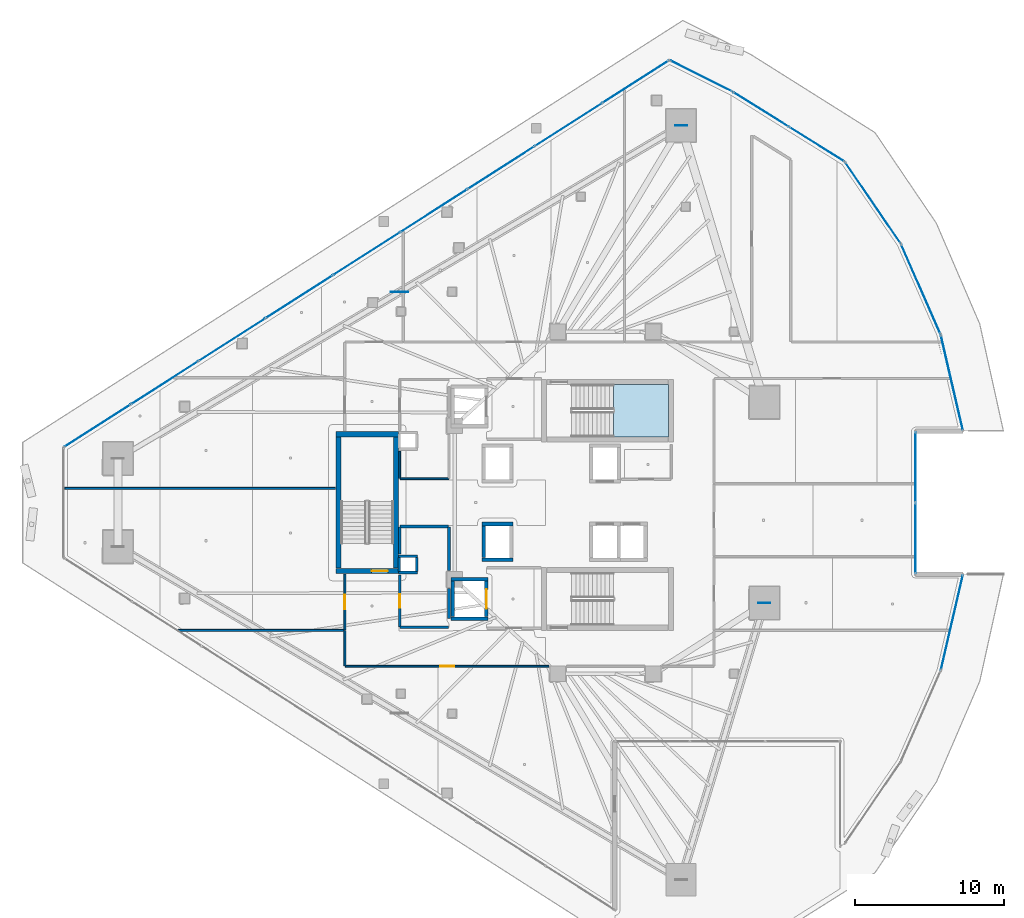
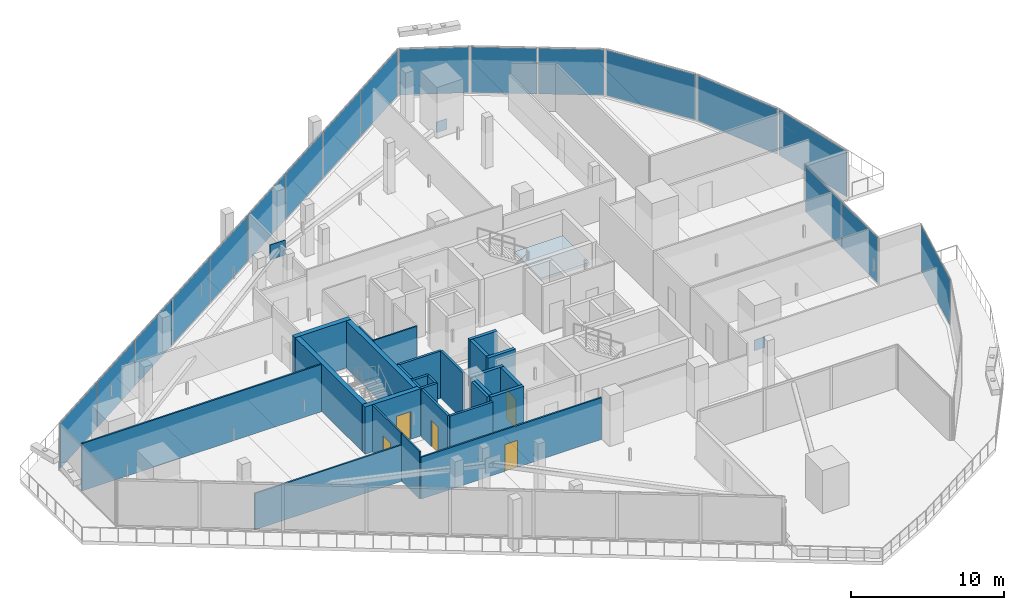
# One storey, part 30 of 43: 28 walls, 21 plates, 5 doors, 1 slab, 5 openings, 9 elements without a shape of their own.
"""IFC4 building model written with IfcOpenShell, lengths in metres."""

from ifc_helpers import new_model, si_unit, direction, frame, frame_2d, origin, origin_2d, place, context, subcontext, project, spatial, polyline, rectangle, outline, extrude, material, layer, layer_set, type_object, element, fill, aggregate, save


model = new_model("IFC4")

# Units and contexts
model_context = context("Model", 3, precision=1e-05, world=origin(), true_north=direction((0.0, 1.0)))
body_context = subcontext(model_context, "Body", "Model", "MODEL_VIEW")
ifc_project = project(units=[si_unit("LENGTHUNIT", "METRE"), si_unit("AREAUNIT", "SQUARE_METRE"), si_unit("VOLUMEUNIT", "CUBIC_METRE"), si_unit("PLANEANGLEUNIT", "RADIAN"), si_unit("MASSUNIT", "GRAM", prefix="KILO")], contexts=[model_context])

# Site, building, storey
site_placement = place(None, origin())
site = spatial("IfcSite", under=ifc_project, at=site_placement, CompositionType="ELEMENT")
building_placement = place(site_placement, origin())
building = spatial("IfcBuilding", under=site, at=building_placement, Name="Qorvath Tower", CompositionType="ELEMENT")
storey_placement = place(building_placement, frame((0.0, 0.0, 150.300048828125)))
storey = spatial("IfcBuildingStorey", under=building, at=storey_placement, Name="L34", CompositionType="ELEMENT", Elevation=150.300048828125)

# Curtain wall, plate
ifc_material_1 = material(Name="Anodised aluminium and triple low-E glass", Category="aluminium")
ifc_layer_1 = layer(ifc_material_1, 0.179931640625)
ifc_layer_set_1 = layer_set([ifc_layer_1], Name="CW-SYS-5")
curtain_wall_type = type_object("IfcCurtainWallType", Name="CW-SYS-5", PredefinedType="NOTDEFINED", material=ifc_layer_set_1)
curtain_wall_1_placement = place(storey_placement, origin())
curtain_wall_1 = element("IfcCurtainWall", 1, at=curtain_wall_1_placement, inside=storey, type_object=curtain_wall_type, Name="Curtain Wall CW-5 CW-T-L34-7.1", PredefinedType="NOTDEFINED")
ifc_material_2 = material(Name="Low-E triple insulated glass", Category="glass")
ifc_layer_2 = layer(ifc_material_2, 0.031982421875)
ifc_layer_set_2 = layer_set([ifc_layer_2], Name="CWP-GLZ-32")
plate_type_1 = type_object("IfcPlateType", Name="CWP-GLZ-32", PredefinedType="CURTAIN_PANEL", material=ifc_layer_set_2)
plate_1_placement = place(storey_placement, frame((2.787841796875, -8.028076171875, 0.06494140625), z_axis=(0.0, 0.0, 1.0), x_axis=(0.225630824395, 0.974212877703, 0.0)))
plate_1 = element("IfcPlate", 2, at=plate_1_placement, type_object=plate_type_1, Name="CW-5 panel 1.1", PredefinedType="CURTAIN_PANEL", context=body_context, shape_type="SweptSolid", body=[
    extrude(rectangle(XDim=6.487060546875, YDim=0.031982421875, at=origin_2d()), origin(), (0.0, 0.0, 1.0), 3.650146484375),
])
aggregate(curtain_wall_1, [plate_1])

# Curtain wall, plates
curtain_wall_2_placement = place(storey_placement, origin())
curtain_wall_2 = element("IfcCurtainWall", 3, at=curtain_wall_2_placement, inside=storey, type_object=curtain_wall_type, Name="Curtain Wall CW-5 CW-T-L34-9.1", PredefinedType="NOTDEFINED")
plate_2_placement = place(storey_placement, frame((0.33984375, -2.37890625, 0.06494140625), z_axis=(0.0, 0.0, 1.0), x_axis=(0.0, 1.0, 0.0)))
plate_2 = element("IfcPlate", 4, at=plate_2_placement, type_object=plate_type_1, Name="CW-5 panel 1.1", PredefinedType="CURTAIN_PANEL", context=body_context, shape_type="SweptSolid", body=[
    extrude(rectangle(XDim=4.6826171875, YDim=0.031982421875, at=origin_2d()), origin(), (0.0, 0.0, 1.0), 3.650146484375),
])
plate_3_placement = place(storey_placement, frame((0.33984375, 2.37890625, 0.06494140625), z_axis=(0.0, 0.0, 1.0), x_axis=(0.0, 1.0, 0.0)))
plate_3 = element("IfcPlate", 5, at=plate_3_placement, type_object=plate_type_1, Name="CW-5 panel 2.1", PredefinedType="CURTAIN_PANEL", context=body_context, shape_type="SweptSolid", body=[
    extrude(rectangle(XDim=4.6826171875, YDim=0.031982421875, at=origin_2d()), origin(), (0.0, 0.0, 1.0), 3.650146484375),
])
aggregate(curtain_wall_2, [plate_2, plate_3])

# Curtain wall, plate
curtain_wall_3_placement = place(storey_placement, origin())
curtain_wall_3 = element("IfcCurtainWall", 6, at=curtain_wall_3_placement, inside=storey, type_object=curtain_wall_type, Name="Curtain Wall CW-5 CW-T-L34-11.1", PredefinedType="NOTDEFINED")
plate_4_placement = place(storey_placement, frame((2.787841796875, 8.028076171875, 0.06494140625), z_axis=(0.0, 0.0, 1.0), x_axis=(-0.225630824395, 0.974212877703, 0.0)))
plate_4 = element("IfcPlate", 7, at=plate_4_placement, type_object=plate_type_1, Name="CW-5 panel 1.1", PredefinedType="CURTAIN_PANEL", context=body_context, shape_type="SweptSolid", body=[
    extrude(rectangle(XDim=6.487060546875, YDim=0.031982421875, at=origin_2d()), origin(), (0.0, 0.0, 1.0), 3.650146484375),
])
aggregate(curtain_wall_3, [plate_4])

curtain_wall_4_placement = place(storey_placement, origin())
curtain_wall_4 = element("IfcCurtainWall", 8, at=curtain_wall_4_placement, inside=storey, type_object=curtain_wall_type, Name="Curtain Wall CW-5 CW-T-L34-12.1", PredefinedType="NOTDEFINED")
plate_5_placement = place(storey_placement, frame((0.70556640625, 14.299560546875, 0.06494140625), z_axis=(0.0, 0.0, 1.0), x_axis=(-0.401902246365, 0.91568257839, 0.0)))
plate_5 = element("IfcPlate", 9, at=plate_5_placement, type_object=plate_type_1, Name="CW-5 panel 1.1", PredefinedType="CURTAIN_PANEL", context=body_context, shape_type="SweptSolid", body=[
    extrude(rectangle(XDim=6.486572265625, YDim=0.031982421875, at=origin_2d()), origin(), (0.0, 0.0, 1.0), 3.650146484375),
])
aggregate(curtain_wall_4, [plate_5])

curtain_wall_5_placement = place(storey_placement, origin())
curtain_wall_5 = element("IfcCurtainWall", 10, at=curtain_wall_5_placement, inside=storey, type_object=curtain_wall_type, Name="Curtain Wall CW-5 CW-T-L34-13.1", PredefinedType="NOTDEFINED")
plate_6_placement = place(storey_placement, frame((-2.500732421875, 20.07763671875, 0.06494140625), z_axis=(0.0, 0.0, 1.0), x_axis=(-0.564284140416, 0.825580649528, 0.0)))
plate_6 = element("IfcPlate", 11, at=plate_6_placement, type_object=plate_type_1, Name="CW-5 panel 1.1", PredefinedType="CURTAIN_PANEL", context=body_context, shape_type="SweptSolid", body=[
    extrude(rectangle(XDim=6.48681640625, YDim=0.031982421875, at=origin_2d()), origin(), (0.0, 0.0, 1.0), 3.650146484375),
])
aggregate(curtain_wall_5, [plate_6])

# Curtain wall, plates
curtain_wall_6_placement = place(storey_placement, origin())
curtain_wall_6 = element("IfcCurtainWall", 12, at=curtain_wall_6_placement, inside=storey, type_object=curtain_wall_type, Name="Curtain Wall CW-5 CW-T-L34-14.1", PredefinedType="NOTDEFINED")
plate_7_placement = place(storey_placement, frame((-6.26904296875, 24.000244140625, 0.06494140625), z_axis=(0.0, 0.0, 1.0), x_axis=(-0.848376500424, 0.529393344809, 0.0)))
plate_7 = element("IfcPlate", 13, at=plate_7_placement, type_object=plate_type_1, Name="CW-5 panel 1.1", PredefinedType="CURTAIN_PANEL", context=body_context, shape_type="SweptSolid", body=[
    extrude(rectangle(XDim=4.319091796875, YDim=0.031982421875, at=origin_2d()), origin(), (0.0, 0.0, 1.0), 3.650146484375),
])
plate_8_placement = place(storey_placement, frame((-9.996826171875, 26.32666015625, 0.06494140625), z_axis=(0.0, 0.0, 1.0), x_axis=(-0.848376500424, 0.529393344809, 0.0)))
plate_8 = element("IfcPlate", 14, at=plate_8_placement, type_object=plate_type_1, Name="CW-5 panel 2.1", PredefinedType="CURTAIN_PANEL", context=body_context, shape_type="SweptSolid", body=[
    extrude(rectangle(XDim=4.319091796875, YDim=0.031982421875, at=origin_2d()), origin(), (0.0, 0.0, 1.0), 3.650146484375),
])
aggregate(curtain_wall_6, [plate_7, plate_8])

# Curtain wall, plate
curtain_wall_7_placement = place(storey_placement, origin())
curtain_wall_7 = element("IfcCurtainWall", 15, at=curtain_wall_7_placement, inside=storey, type_object=curtain_wall_type, Name="Curtain Wall CW-5 CW-T-L34-15.1", PredefinedType="NOTDEFINED")
plate_9_placement = place(storey_placement, frame((-14.0087890625, 28.567626953125, 0.06494140625), z_axis=(0.0, 0.0, 1.0), x_axis=(-0.894418737374, 0.447230502353, 0.0)))
plate_9 = element("IfcPlate", 16, at=plate_9_placement, type_object=plate_type_1, Name="CW-5 panel 1.1", PredefinedType="CURTAIN_PANEL", context=body_context, shape_type="SweptSolid", body=[
    extrude(rectangle(XDim=4.581787109375, YDim=0.031982421875, at=origin_2d()), origin(), (0.0, 0.0, 1.0), 3.650146484375),
])
aggregate(curtain_wall_7, [plate_9])

# Curtain wall, plates
curtain_wall_8_placement = place(storey_placement, origin())
curtain_wall_8 = element("IfcCurtainWall", 17, at=curtain_wall_8_placement, inside=storey, type_object=curtain_wall_type, Name="Curtain Wall CW-5 CW-T-L34-16.1", PredefinedType="NOTDEFINED")
plate_10_placement = place(storey_placement, frame((-18.393798828125, 28.175537109375, 0.06494140625), z_axis=(0.0, 0.0, 1.0), x_axis=(-0.842602882592, -0.538535404822, 0.0)))
plate_10 = element("IfcPlate", 18, at=plate_10_placement, type_object=plate_type_1, Name="CW-5 panel 1.1", PredefinedType="CURTAIN_PANEL", context=body_context, shape_type="SweptSolid", body=[
    extrude(rectangle(XDim=5.23583984375, YDim=0.031982421875, at=origin_2d()), origin(), (0.0, 0.0, 1.0), 3.650146484375),
])
plate_11_placement = place(storey_placement, frame((-22.884521484375, 25.30517578125, 0.06494140625), z_axis=(0.0, 0.0, 1.0), x_axis=(-0.842602882592, -0.538535404822, 0.0)))
plate_11 = element("IfcPlate", 19, at=plate_11_placement, type_object=plate_type_1, Name="CW-5 panel 2.1", PredefinedType="CURTAIN_PANEL", context=body_context, shape_type="SweptSolid", body=[
    extrude(rectangle(XDim=5.2734375, YDim=0.031982421875, at=origin_2d()), origin(), (0.0, 0.0, 1.0), 3.650146484375),
])
plate_12_placement = place(storey_placement, frame((-27.39111328125, 22.425048828125, 0.06494140625), z_axis=(0.0, 0.0, 1.0), x_axis=(-0.842602882592, -0.538535404822, 0.0)))
plate_12 = element("IfcPlate", 20, at=plate_12_placement, type_object=plate_type_1, Name="CW-5 panel 3.1", PredefinedType="CURTAIN_PANEL", context=body_context, shape_type="SweptSolid", body=[
    extrude(rectangle(XDim=5.2734375, YDim=0.031982421875, at=origin_2d()), origin(), (0.0, 0.0, 1.0), 3.650146484375),
])
plate_13_placement = place(storey_placement, frame((-31.897705078125, 19.544677734375, 0.06494140625), z_axis=(0.0, 0.0, 1.0), x_axis=(-0.842602882592, -0.538535404822, 0.0)))
plate_13 = element("IfcPlate", 21, at=plate_13_placement, type_object=plate_type_1, Name="CW-5 panel 4.1", PredefinedType="CURTAIN_PANEL", context=body_context, shape_type="SweptSolid", body=[
    extrude(rectangle(XDim=5.2734375, YDim=0.031982421875, at=origin_2d()), origin(), (0.0, 0.0, 1.0), 3.650146484375),
])
plate_14_placement = place(storey_placement, frame((-36.404296875, 16.664306640625, 0.06494140625), z_axis=(0.0, 0.0, 1.0), x_axis=(-0.842602882592, -0.538535404822, 0.0)))
plate_14 = element("IfcPlate", 22, at=plate_14_placement, type_object=plate_type_1, Name="CW-5 panel 5.1", PredefinedType="CURTAIN_PANEL", context=body_context, shape_type="SweptSolid", body=[
    extrude(rectangle(XDim=5.2734375, YDim=0.031982421875, at=origin_2d()), origin(), (0.0, 0.0, 1.0), 3.650146484375),
])
plate_15_placement = place(storey_placement, frame((-40.910888671875, 13.7841796875, 0.06494140625), z_axis=(0.0, 0.0, 1.0), x_axis=(-0.842602882592, -0.538535404822, 0.0)))
plate_15 = element("IfcPlate", 23, at=plate_15_placement, type_object=plate_type_1, Name="CW-5 panel 6.1", PredefinedType="CURTAIN_PANEL", context=body_context, shape_type="SweptSolid", body=[
    extrude(rectangle(XDim=5.2734375, YDim=0.031982421875, at=origin_2d()), origin(), (0.0, 0.0, 1.0), 3.650146484375),
])
plate_16_placement = place(storey_placement, frame((-45.41748046875, 10.90380859375, 0.06494140625), z_axis=(0.0, 0.0, 1.0), x_axis=(-0.842602882592, -0.538535404822, 0.0)))
plate_16 = element("IfcPlate", 24, at=plate_16_placement, type_object=plate_type_1, Name="CW-5 panel 7.1", PredefinedType="CURTAIN_PANEL", context=body_context, shape_type="SweptSolid", body=[
    extrude(rectangle(XDim=5.2734375, YDim=0.031982421875, at=origin_2d()), origin(), (0.0, 0.0, 1.0), 3.650146484375),
])
plate_17_placement = place(storey_placement, frame((-49.924072265625, 8.0234375, 0.06494140625), z_axis=(0.0, 0.0, 1.0), x_axis=(-0.842602882592, -0.538535404822, 0.0)))
plate_17 = element("IfcPlate", 25, at=plate_17_placement, type_object=plate_type_1, Name="CW-5 panel 8.1", PredefinedType="CURTAIN_PANEL", context=body_context, shape_type="SweptSolid", body=[
    extrude(rectangle(XDim=5.2734375, YDim=0.031982421875, at=origin_2d()), origin(), (0.0, 0.0, 1.0), 3.650146484375),
])
plate_18_placement = place(storey_placement, frame((-54.414794921875, 5.1533203125, 0.06494140625), z_axis=(0.0, 0.0, 1.0), x_axis=(-0.842602882592, -0.538535404822, 0.0)))
plate_18 = element("IfcPlate", 26, at=plate_18_placement, type_object=plate_type_1, Name="CW-5 panel 9.1", PredefinedType="CURTAIN_PANEL", context=body_context, shape_type="SweptSolid", body=[
    extrude(rectangle(XDim=5.23583984375, YDim=0.031982421875, at=origin_2d()), origin(), (0.0, 0.0, 1.0), 3.650146484375),
])
aggregate(curtain_wall_8, [plate_10, plate_11, plate_12, plate_13, plate_14, plate_15, plate_16, plate_17, plate_18])

# Plates
ifc_material_3 = material(Name="Steel ASTM A572 Grade 50", Category="steel")
ifc_layer_3 = layer(ifc_material_3, 0.054931640625)
ifc_layer_set_3 = layer_set([ifc_layer_3], Name="PL-MBN1")
plate_type_2 = type_object("IfcPlateType", Name="PL-MBN1", PredefinedType="USERDEFINED", material=ifc_layer_set_3)
plate_19_placement = place(storey_placement, frame((-34.19677734375, 14.098388671875, 2.830078125), z_axis=(0.0, 0.0, 1.0), x_axis=(1.0, 0.0, 0.0)))
element("IfcPlate", 27, at=plate_19_placement, inside=storey, type_object=plate_type_2, Name="Mega-Brace Chevron Apex Gusset L34-1", ObjectType="GUSSET", PredefinedType="USERDEFINED", context=body_context, shape_type="SweptSolid", body=[
    extrude(rectangle(XDim=1.14990234375, YDim=0.054931640625, at=origin_2d()), origin(), (0.0, 0.0, 1.0), 1.199951171875),
])
for number, where, z_axis, x_axis, name in (
    (28, (-15.34423828125, 25.24609375, -0.425048828125), (0.0, 0.0, 1.0), (1.0, 0.0, 0.0), "Brace Strut End Gusset Plate NDBG-097"),
    (29, (-9.770263671875, -6.721435546875, -0.425048828125), (0.0, 0.0, 1.0), (1.0, 0.0, 0.0), "Brace Strut End Gusset Plate NDBG-138"),
):
    element("IfcPlate", number, at=place(storey_placement, frame(where, z_axis=z_axis, x_axis=x_axis)), inside=storey, type_object=plate_type_2, Name=name, ObjectType="GUSSET", PredefinedType="USERDEFINED", context=body_context, shape_type="SweptSolid", body=[
        extrude(rectangle(XDim=0.800048828125, YDim=0.054931640625, at=origin_2d()), origin(), (0.0, 0.0, 1.0), 0.85009765625),
    ])

# Stair, slab
ifc_material_4 = material(Name="Concrete C50/60", Category="concrete")
stair_type = type_object("IfcStairType", Name="ST-H405", PredefinedType="HALF_TURN_STAIR", material=ifc_material_4)
stair_placement = place(storey_placement, origin())
stair = element("IfcStair", 30, at=stair_placement, inside=storey, type_object=stair_type, Name="L34 Tower Exit Stair 1", PredefinedType="HALF_TURN_STAIR")
ifc_material_5 = material(Name="Concrete C50/60", Category="concrete")
ifc_layer_4 = layer(ifc_material_5, 0.199951171875)
ifc_layer_set_4 = layer_set([ifc_layer_4], Name="SL-LND-200")
slab_type = type_object("IfcSlabType", Name="SL-LND-200", PredefinedType="LANDING", material=ifc_layer_set_4)
slab_placement = place(storey_placement, frame((0.0, 0.0, 1.824951171875)))
slab = element("IfcSlab", 31, at=slab_placement, type_object=slab_type, Name="TS1 landing 1", PredefinedType="LANDING", context=body_context, shape_type="SweptSolid", body=[
    extrude(outline(polyline([(-19.8701171875, 4.39990234375), (-16.199951171875, 4.39990234375), (-16.199951171875, 7.909912109375), (-19.8701171875, 7.909912109375), (-19.8701171875, 4.39990234375)])), origin(), (0.0, 0.0, 1.0), 0.199951171875),
])
aggregate(stair, [slab])

# Walls
ifc_material_6 = material(Name="Gypsum shaftliner on steel studs", Category="steel")
ifc_layer_5 = layer(ifc_material_6, 0.179931640625)
ifc_layer_set_5 = layer_set([ifc_layer_5], Name="FW-LOBBY")
wall_type_1 = type_object("IfcWallType", Name="FW-LOBBY", PredefinedType="PARTITIONING", material=ifc_layer_set_5)
for number, where, z_axis, x_axis, name in (
    (32, (-32.989990234375, -4.675048828125, 0.0), (0.0, 0.0, 1.0), (-1.0, 0.0, 0.0), "MEP Riser Shaft Enclosure Wall S-L34-S"),
    (33, (-34.260009765625, -3.594970703125, 0.0), (0.0, 0.0, 1.0), (1.0, 0.0, 0.0), "MEP Riser Shaft Enclosure Wall S-L34-N"),
):
    element("IfcWall", number, at=place(storey_placement, frame(where, z_axis=z_axis, x_axis=x_axis)), inside=storey, type_object=wall_type_1, Name=name, PredefinedType="PARTITIONING", context=body_context, shape_type="SweptSolid", body=[
        extrude(rectangle(XDim=1.27001953125, YDim=0.179931640625, at=frame_2d((0.635009765625, 0.0))), origin(), (0.0, 0.0, 1.0), 3.780029296875),
    ])
for number, where, z_axis, x_axis, name in (
    (34, (-34.205078125, -4.610107421875, 0.0), (0.0, 0.0, 1.0), (0.0, 1.0, 0.0), "MEP Riser Shaft Enclosure Wall S-L34-W"),
    (35, (-33.044921875, -3.659912109375, 0.0), (0.0, 0.0, 1.0), (0.0, -1.0, 0.0), "MEP Riser Shaft Enclosure Wall S-L34-E"),
):
    element("IfcWall", number, at=place(storey_placement, frame(where, z_axis=z_axis, x_axis=x_axis)), inside=storey, type_object=wall_type_1, Name=name, PredefinedType="PARTITIONING", context=body_context, shape_type="SweptSolid", body=[
        extrude(rectangle(XDim=0.9501953125, YDim=0.179931640625, at=frame_2d((0.47509765625, 0.0))), origin(), (0.0, 0.0, 1.0), 3.780029296875),
    ])
wall_1_placement = place(storey_placement, frame((-34.15478515625, -8.35009765625, 0.0), z_axis=(0.0, 0.0, 1.0), x_axis=(1.0, 0.0, 0.0)))
element("IfcWall", 36, at=wall_1_placement, inside=storey, type_object=wall_type_1, Name="Interior Partition IW-T1-L34-013", PredefinedType="PARTITIONING", context=body_context, shape_type="SweptSolid", body=[
    extrude(rectangle(XDim=3.25, YDim=0.179931640625, at=frame_2d((1.625, 0.0))), origin(), (0.0, 0.0, 1.0), 3.780029296875),
])
wall_2_placement = place(storey_placement, frame((-30.8798828125, -7.742919921875, 0.0), z_axis=(0.0, 0.0, 1.0), x_axis=(0.0, 1.0, 0.0)))
element("IfcWall", 37, at=wall_2_placement, inside=storey, type_object=wall_type_1, Name="Interior Partition IW-T1-L34-014", PredefinedType="PARTITIONING", context=body_context, shape_type="SweptSolid", body=[
    extrude(rectangle(XDim=2.0029296875, YDim=0.179931640625, at=frame_2d((1.00146484375, 0.0))), origin(), (0.0, 0.0, 1.0), 3.780029296875),
])
wall_3_placement = place(storey_placement, frame((-30.8798828125, -4.56005859375, 0.0), z_axis=(0.0, 0.0, 1.0), x_axis=(0.0, 1.0, 0.0)))
element("IfcWall", 38, at=wall_3_placement, inside=storey, type_object=wall_type_1, Name="Interior Partition IW-T1-L34-015", PredefinedType="PARTITIONING", context=body_context, shape_type="SweptSolid", body=[
    extrude(rectangle(XDim=2.93505859375, YDim=0.179931640625, at=frame_2d((1.467529296875, 0.0))), origin(), (0.0, 0.0, 1.0), 3.780029296875),
])
wall_4_placement = place(storey_placement, frame((-30.90478515625, -1.60009765625, 0.0), z_axis=(0.0, 0.0, 1.0), x_axis=(-1.0, 0.0, 0.0)))
element("IfcWall", 39, at=wall_4_placement, inside=storey, type_object=wall_type_1, Name="Interior Partition IW-T1-L34-016", PredefinedType="PARTITIONING", context=body_context, shape_type="SweptSolid", body=[
    extrude(rectangle(XDim=3.25, YDim=0.179931640625, at=frame_2d((1.625, 0.0))), origin(), (0.0, 0.0, 1.0), 3.780029296875),
])
wall_5_placement = place(storey_placement, frame((-34.179931640625, -1.625, 0.0), z_axis=(0.0, 0.0, 1.0), x_axis=(0.0, -1.0, 0.0)))
element("IfcWall", 40, at=wall_5_placement, inside=storey, type_object=wall_type_1, Name="Interior Partition IW-T1-L34-017", PredefinedType="PARTITIONING", context=body_context, shape_type="SweptSolid", body=[
    extrude(rectangle(XDim=1.804931640625, YDim=0.179931640625, at=frame_2d((0.90234375, 0.0))), origin(), (0.0, 0.0, 1.0), 3.780029296875),
])

# Wall, opening, door
wall_6_placement = place(storey_placement, frame((-34.179931640625, -4.840087890625, 0.0), z_axis=(0.0, 0.0, 1.0), x_axis=(0.0, -1.0, 0.0)))
wall_6 = element("IfcWall", 41, at=wall_6_placement, inside=storey, type_object=wall_type_1, Name="Interior Partition IW-T1-L34-018", PredefinedType="PARTITIONING", context=body_context, shape_type="SweptSolid", body=[
    extrude(rectangle(XDim=3.485107421875, YDim=0.179931640625, at=frame_2d((1.74267578125, 0.0))), origin(), (0.0, 0.0, 1.0), 3.780029296875),
])
opening_1_placement = place(wall_6_placement, frame((1.302490234375, 0.0, 0.0)))
opening_1 = element("IfcOpeningElement", 42, at=opening_1_placement, cuts=wall_6, Name="Opening D-T1-L34-03", PredefinedType="OPENING", context=body_context, shape_type="SweptSolid", body=[
    extrude(rectangle(XDim=0.8798828125, YDim=2.10009765625, at=frame_2d((0.43994140625, 1.050048828125))), frame((0.0, 0.10009765625, 0.0), z_axis=(0.0, -1.0, 0.0), x_axis=(1.0, 0.0, 0.0)), (0.0, 0.0, 1.0), 0.199951171875),
])
ifc_material_7 = material(Name="Painted galvanised hollow metal", Category="steel")
door_type_1 = type_object("IfcDoorType", Name="FD-60N", OperationType="NOTDEFINED", PredefinedType="DOOR", material=ifc_material_7)
door_1_placement = place(opening_1_placement, origin())
door_1 = element("IfcDoor", 43, at=door_1_placement, inside=storey, type_object=door_type_1, Name="Core electrical and cleaner room L34 Door D-T1-L34-03", OperationType="SINGLE_SWING_RIGHT", OverallHeight=2.10009765625, OverallWidth=0.8798828125, PredefinedType="DOOR", context=body_context, shape_type="SweptSolid", body=[
    extrude(rectangle(XDim=0.8798828125, YDim=2.10009765625, at=frame_2d((0.43994140625, 1.050048828125))), frame((0.0, 0.02490234375, 0.0), z_axis=(0.0, -1.0, 0.0), x_axis=(1.0, 0.0, 0.0)), (0.0, 0.0, 1.0), 0.050048828125),
])
fill(opening_1, door_1)

ifc_material_8 = material(Name="Gypsum board on metal studs with mineral wool", Category="gypsum")
ifc_layer_6 = layer(ifc_material_8, 0.125)
ifc_layer_set_6 = layer_set([ifc_layer_6], Name="IW-PART-125")
wall_type_2 = type_object("IfcWallType", Name="IW-PART-125", PredefinedType="PARTITIONING", material=ifc_layer_set_6)
wall_7_placement = place(storey_placement, frame((-24.18994140625, -10.9580078125, 0.0), z_axis=(0.0, 0.0, 1.0), x_axis=(-1.0, 0.0, 0.0)))
wall_7 = element("IfcWall", 44, at=wall_7_placement, inside=storey, type_object=wall_type_2, Name="Interior Partition IW-T1-L34-035", PredefinedType="PARTITIONING", context=body_context, shape_type="SweptSolid", body=[
    extrude(rectangle(XDim=13.64306640625, YDim=0.125, at=frame_2d((6.821533203125, 0.0))), origin(), (0.0, 0.0, 1.0), 3.34423828125),
])
opening_2_placement = place(wall_7_placement, frame((6.346435546875, 0.0, 0.0)))
opening_2 = element("IfcOpeningElement", 45, at=opening_2_placement, cuts=wall_7, Name="Opening D-T1-L34-07", PredefinedType="OPENING", context=body_context, shape_type="SweptSolid", body=[
    extrude(rectangle(XDim=0.949951171875, YDim=2.14990234375, at=frame_2d((0.47509765625, 1.074951171875))), frame((0.0, 0.072509765625, 0.0), z_axis=(0.0, -1.0, 0.0), x_axis=(1.0, 0.0, 0.0)), (0.0, 0.0, 1.0), 0.14501953125),
])
ifc_material_9 = material(Name="Solid-core American white oak veneer", Category="wood")
door_type_2 = type_object("IfcDoorType", Name="D-01", OperationType="NOTDEFINED", PredefinedType="DOOR", material=ifc_material_9)
door_2_placement = place(opening_2_placement, origin())
door_2 = element("IfcDoor", 46, at=door_2_placement, inside=storey, type_object=door_type_2, Name="L34-04 Design Pin-Up Atelier Door D-T1-L34-07", OperationType="SINGLE_SWING_RIGHT", OverallHeight=2.14990234375, OverallWidth=0.949951171875, PredefinedType="DOOR", context=body_context, shape_type="SweptSolid", body=[
    extrude(rectangle(XDim=0.949951171875, YDim=2.14990234375, at=frame_2d((0.47509765625, 1.074951171875))), frame((0.0, 0.02490234375, 0.0), z_axis=(0.0, -1.0, 0.0), x_axis=(1.0, 0.0, 0.0)), (0.0, 0.0, 1.0), 0.050048828125),
])
fill(opening_2, door_2)

# Walls
wall_8_placement = place(storey_placement, frame((-37.85791015625, -8.574951171875, 0.0), z_axis=(0.0, 0.0, 1.0), x_axis=(0.0, -1.0, 0.0)))
element("IfcWall", 47, at=wall_8_placement, inside=storey, type_object=wall_type_2, Name="Interior Partition IW-T1-L34-036", PredefinedType="PARTITIONING", context=body_context, shape_type="SweptSolid", body=[
    extrude(rectangle(XDim=2.358154296875, YDim=0.125, at=frame_2d((1.17919921875, 0.0))), origin(), (0.0, 0.0, 1.0), 3.780029296875),
])
wall_9_placement = place(storey_placement, frame((-37.8828125, -8.550048828125, 0.0), z_axis=(0.0, 0.0, 1.0), x_axis=(-1.0, 0.0, 0.0)))
element("IfcWall", 48, at=wall_9_placement, inside=storey, type_object=wall_type_2, Name="Interior Partition IW-T1-L34-037", PredefinedType="PARTITIONING", context=body_context, shape_type="SweptSolid", body=[
    extrude(rectangle(XDim=11.137451171875, YDim=0.125, at=frame_2d((5.56884765625, 0.0))), origin(), (0.0, 0.0, 1.0), 2.89990234375),
])

# Wall, opening, door
wall_10_placement = place(storey_placement, frame((-37.85791015625, -8.51708984375, 0.0), z_axis=(0.0, 0.0, 1.0), x_axis=(0.0, 1.0, 0.0)))
wall_10 = element("IfcWall", 49, at=wall_10_placement, inside=storey, type_object=wall_type_2, Name="Interior Partition IW-T1-L34-044", PredefinedType="PARTITIONING", context=body_context, shape_type="SweptSolid", body=[
    extrude(rectangle(XDim=3.73388671875, YDim=0.125, at=frame_2d((1.866943359375, 0.0))), origin(), (0.0, 0.0, 1.0), 3.780029296875),
])
opening_3_placement = place(wall_10_placement, frame((1.391845703125, 0.0, 0.0)))
opening_3 = element("IfcOpeningElement", 50, at=opening_3_placement, cuts=wall_10, Name="Opening D-T1-L34-11", PredefinedType="OPENING", context=body_context, shape_type="SweptSolid", body=[
    extrude(rectangle(XDim=0.949951171875, YDim=2.14990234375, at=frame_2d((0.47509765625, 1.074951171875))), frame((0.0, 0.072509765625, 0.0), z_axis=(0.0, -1.0, 0.0), x_axis=(1.0, 0.0, 0.0)), (0.0, 0.0, 1.0), 0.14501953125),
])
door_3_placement = place(opening_3_placement, origin())
door_3 = element("IfcDoor", 51, at=door_3_placement, inside=storey, type_object=door_type_2, Name="L34-08 Quantitative Research Studio Door D-T1-L34-11", OperationType="SINGLE_SWING_RIGHT", OverallHeight=2.14990234375, OverallWidth=0.949951171875, PredefinedType="DOOR", context=body_context, shape_type="SweptSolid", body=[
    extrude(rectangle(XDim=0.949951171875, YDim=2.14990234375, at=frame_2d((0.47509765625, 1.074951171875))), frame((0.0, 0.02490234375, 0.0), z_axis=(0.0, -1.0, 0.0), x_axis=(1.0, 0.0, 0.0)), (0.0, 0.0, 1.0), 0.050048828125),
])
fill(opening_3, door_3)

# Walls
wall_11_placement = place(storey_placement, frame((-38.492919921875, 0.953369140625, 0.0), z_axis=(0.0, 0.0, 1.0), x_axis=(-1.0, 0.0, 0.0)))
element("IfcWall", 52, at=wall_11_placement, inside=storey, type_object=wall_type_2, Name="Interior Partition IW-T1-L34-045", PredefinedType="PARTITIONING", context=body_context, shape_type="SweptSolid", body=[
    extrude(rectangle(XDim=18.11083984375, YDim=0.125, at=frame_2d((9.055419921875, 0.0))), origin(), (0.0, 0.0, 1.0), 3.780029296875),
])
ifc_material_10 = material(Name="Moisture-resistant cement board on metal studs", Category="gypsum")
ifc_layer_7 = layer(ifc_material_10, 0.110107421875)
ifc_layer_set_7 = layer_set([ifc_layer_7], Name="IW-WC-110")
wall_type_3 = type_object("IfcWallType", Name="IW-WC-110", PredefinedType="PARTITIONING", material=ifc_layer_set_7)
wall_12_placement = place(storey_placement, frame((-34.15478515625, 1.60009765625, 0.0), z_axis=(0.0, 0.0, 1.0), x_axis=(1.0, 0.0, 0.0)))
element("IfcWall", 53, at=wall_12_placement, inside=storey, type_object=wall_type_3, Name="Interior Partition IW-T1-L34-005", PredefinedType="PARTITIONING", context=body_context, shape_type="SweptSolid", body=[
    extrude(rectangle(XDim=3.25, YDim=0.110107421875, at=frame_2d((1.625, 0.0))), origin(), (0.0, 0.0, 1.0), 3.780029296875),
])
wall_13_placement = place(storey_placement, frame((-34.179931640625, 3.429931640625, 0.0), z_axis=(0.0, 0.0, 1.0), x_axis=(0.0, -1.0, 0.0)))
element("IfcWall", 54, at=wall_13_placement, inside=storey, type_object=wall_type_3, Name="Interior Partition IW-T1-L34-010", PredefinedType="PARTITIONING", context=body_context, shape_type="SweptSolid", body=[
    extrude(rectangle(XDim=1.804931640625, YDim=0.110107421875, at=frame_2d((0.90234375, 0.0))), origin(), (0.0, 0.0, 1.0), 3.780029296875),
])
ifc_material_11 = material(Name="Concrete C60/75", Category="concrete")
ifc_layer_8 = layer(ifc_material_11, 0.260009765625)
ifc_layer_set_8 = layer_set([ifc_layer_8], Name="SW-SHAFT")
wall_type_4 = type_object("IfcWallType", Name="SW-SHAFT", PredefinedType="SHEAR", material=ifc_layer_set_8)
for number, where, z_axis, x_axis, name in (
    (55, (-28.260009765625, -7.77001953125, 0.0), (0.0, 0.0, 1.0), (-1.0, 0.0, 0.0), "Hoistway Wall FSAE-2 L34 S"),
    (56, (-30.739990234375, -5.1298828125, 0.0), (0.0, 0.0, 1.0), (1.0, 0.0, 0.0), "Hoistway Wall FSAE-2 L34 N"),
):
    element("IfcWall", number, at=place(storey_placement, frame(where, z_axis=z_axis, x_axis=x_axis)), inside=storey, type_object=wall_type_4, Name=name, PredefinedType="SHEAR", context=body_context, shape_type="SweptSolid", body=[
        extrude(rectangle(XDim=2.47998046875, YDim=0.239990234375, at=frame_2d((1.239990234375, 0.0))), origin(), (0.0, 0.0, 1.0), 3.780029296875),
    ])
wall_14_placement = place(storey_placement, frame((-30.6201171875, -7.637939453125, 0.0), z_axis=(0.0, 0.0, 1.0), x_axis=(0.0, 1.0, 0.0)))
element("IfcWall", 57, at=wall_14_placement, inside=storey, type_object=wall_type_4, Name="Hoistway Wall FSAE-2 L34 W", PredefinedType="SHEAR", context=body_context, shape_type="SweptSolid", body=[
    extrude(rectangle(XDim=2.3759765625, YDim=0.239990234375, at=frame_2d((1.18798828125, 0.0))), origin(), (0.0, 0.0, 1.0), 3.780029296875),
])

# Wall, opening, door
wall_15_placement = place(storey_placement, frame((-28.3798828125, -5.261962890625, 0.0), z_axis=(0.0, 0.0, 1.0), x_axis=(0.0, -1.0, 0.0)))
wall_15 = element("IfcWall", 58, at=wall_15_placement, inside=storey, type_object=wall_type_4, Name="Hoistway Wall FSAE-2 L34 E", PredefinedType="SHEAR", context=body_context, shape_type="SweptSolid", body=[
    extrude(rectangle(XDim=2.3759765625, YDim=0.239990234375, at=frame_2d((1.18798828125, 0.0))), origin(), (0.0, 0.0, 1.0), 3.780029296875),
])
opening_4_placement = place(wall_15_placement, frame((0.5380859375, 0.0, 0.0)))
opening_4 = element("IfcOpeningElement", 59, at=opening_4_placement, cuts=wall_15, Name="Opening LD-FSAE-2-L34", PredefinedType="OPENING", context=body_context, shape_type="SweptSolid", body=[
    extrude(rectangle(XDim=1.300048828125, YDim=2.300048828125, at=frame_2d((0.64990234375, 1.14990234375))), frame((0.0, 0.1298828125, 0.0), z_axis=(0.0, -1.0, 0.0), x_axis=(1.0, 0.0, 0.0)), (0.0, 0.0, 1.0), 0.260009765625),
])
ifc_material_12 = material(Name="Brushed stainless steel AISI 316", Category="steel")
door_type_3 = type_object("IfcDoorType", Name="LD-02", OperationType="NOTDEFINED", PredefinedType="DOOR", material=ifc_material_12)
door_4_placement = place(opening_4_placement, origin())
door_4 = element("IfcDoor", 60, at=door_4_placement, inside=storey, type_object=door_type_3, Name="Elevator Landing Sliding Door LD-FSAE-2-L34", OperationType="DOUBLE_DOOR_SLIDING", OverallHeight=2.300048828125, OverallWidth=1.300048828125, PredefinedType="DOOR", context=body_context, shape_type="SweptSolid", body=[
    extrude(rectangle(XDim=1.300048828125, YDim=2.300048828125, at=frame_2d((0.64990234375, 1.14990234375))), frame((0.0, 0.02490234375, 0.0), z_axis=(0.0, -1.0, 0.0), x_axis=(1.0, 0.0, 0.0)), (0.0, 0.0, 1.0), 0.050048828125),
])
fill(opening_4, door_4)

# Walls
for number, where, z_axis, x_axis, name in (
    (61, (-26.610107421875, -3.820068359375, 0.0), (0.0, 0.0, 1.0), (-1.0, 0.0, 0.0), "Hoistway Wall PS-2 L34 S"),
    (62, (-28.68994140625, -1.429931640625, 0.0), (0.0, 0.0, 1.0), (1.0, 0.0, 0.0), "Hoistway Wall PS-2 L34 N"),
):
    element("IfcWall", number, at=place(storey_placement, frame(where, z_axis=z_axis, x_axis=x_axis)), inside=storey, type_object=wall_type_4, Name=name, PredefinedType="SHEAR", context=body_context, shape_type="SweptSolid", body=[
        extrude(rectangle(XDim=2.079833984375, YDim=0.239990234375, at=frame_2d((1.0400390625, 0.0))), origin(), (0.0, 0.0, 1.0), 3.780029296875),
    ])
wall_16_placement = place(storey_placement, frame((-28.570068359375, -3.68798828125, 0.0), z_axis=(0.0, 0.0, 1.0), x_axis=(0.0, 1.0, 0.0)))
element("IfcWall", 63, at=wall_16_placement, inside=storey, type_object=wall_type_4, Name="Hoistway Wall PS-2 L34 W", PredefinedType="SHEAR", context=body_context, shape_type="SweptSolid", body=[
    extrude(rectangle(XDim=2.1259765625, YDim=0.239990234375, at=frame_2d((1.06298828125, 0.0))), origin(), (0.0, 0.0, 1.0), 3.780029296875),
])

# Wall, opening, door
ifc_material_13 = material(Name="Concrete C60/75", Category="concrete")
ifc_layer_9 = layer(ifc_material_13, 0.35009765625)
ifc_layer_set_9 = layer_set([ifc_layer_9], Name="SW-STAIR")
wall_type_5 = type_object("IfcWallType", Name="SW-STAIR", PredefinedType="SHEAR", material=ifc_layer_set_9)
wall_17_placement = place(storey_placement, frame((-38.4599609375, -4.574951171875, 0.0), z_axis=(0.0, 0.0, 1.0), x_axis=(1.0, 0.0, 0.0)))
wall_17 = element("IfcWall", 64, at=wall_17_placement, inside=storey, type_object=wall_type_5, Name="Stair TS3 Shear Wall L34 NEAR", PredefinedType="SHEAR", context=body_context, shape_type="SweptSolid", body=[
    extrude(rectangle(XDim=4.2099609375, YDim=0.35009765625, at=frame_2d((2.10498046875, 0.0))), origin(), (0.0, 0.0, 1.0), 3.780029296875),
])
opening_5_placement = place(wall_17_placement, frame((2.389892578125, 0.0, 0.0)))
opening_5 = element("IfcOpeningElement", 65, at=opening_5_placement, cuts=wall_17, Name="Opening D-TS3-L34", PredefinedType="OPENING", context=body_context, shape_type="SweptSolid", body=[
    extrude(rectangle(XDim=1.10009765625, YDim=2.199951171875, at=frame_2d((0.550048828125, 1.10009765625))), frame((0.0, 0.18505859375, 0.0), z_axis=(0.0, -1.0, 0.0), x_axis=(1.0, 0.0, 0.0)), (0.0, 0.0, 1.0), 0.3701171875),
])
ifc_material_14 = material(Name="Painted galvanised hollow metal", Category="steel")
door_type_4 = type_object("IfcDoorType", Name="FD-90", OperationType="NOTDEFINED", PredefinedType="DOOR", material=ifc_material_14)
door_5_placement = place(opening_5_placement, origin())
door_5 = element("IfcDoor", 66, at=door_5_placement, inside=storey, type_object=door_type_4, Name="Stair TS3 Fire Door L34", OperationType="SINGLE_SWING_LEFT", OverallHeight=2.199951171875, OverallWidth=1.10009765625, PredefinedType="DOOR", context=body_context, shape_type="SweptSolid", body=[
    extrude(rectangle(XDim=1.10009765625, YDim=2.199951171875, at=frame_2d((0.550048828125, 1.10009765625))), frame((0.0, 0.02490234375, 0.0), z_axis=(0.0, -1.0, 0.0), x_axis=(1.0, 0.0, 0.0)), (0.0, 0.0, 1.0), 0.050048828125),
])
fill(opening_5, door_5)

# Walls
wall_18_placement = place(storey_placement, frame((-34.25, 4.574951171875, 0.0), z_axis=(0.0, 0.0, 1.0), x_axis=(-1.0, 0.0, 0.0)))
element("IfcWall", 67, at=wall_18_placement, inside=storey, type_object=wall_type_5, Name="Stair TS3 Shear Wall L34 FAR", PredefinedType="SHEAR", context=body_context, shape_type="SweptSolid", body=[
    extrude(rectangle(XDim=4.2099609375, YDim=0.35009765625, at=frame_2d((2.10498046875, 0.0))), origin(), (0.0, 0.0, 1.0), 3.780029296875),
])
for number, where, z_axis, x_axis, name in (
    (68, (-34.425048828125, -4.385009765625, 0.0), (0.0, 0.0, 1.0), (0.0, 1.0, 0.0), "Stair TS3 Shear Wall L34 LEFT"),
    (69, (-38.284912109375, 4.385009765625, 0.0), (0.0, 0.0, 1.0), (0.0, -1.0, 0.0), "Stair TS3 Shear Wall L34 RIGHT"),
):
    element("IfcWall", number, at=place(storey_placement, frame(where, z_axis=z_axis, x_axis=x_axis)), inside=storey, type_object=wall_type_5, Name=name, PredefinedType="SHEAR", context=body_context, shape_type="SweptSolid", body=[
        extrude(rectangle(XDim=8.77001953125, YDim=0.35009765625, at=frame_2d((4.385009765625, 0.0))), origin(), (0.0, 0.0, 1.0), 3.780029296875),
    ])

save(model, "model.ifc")
